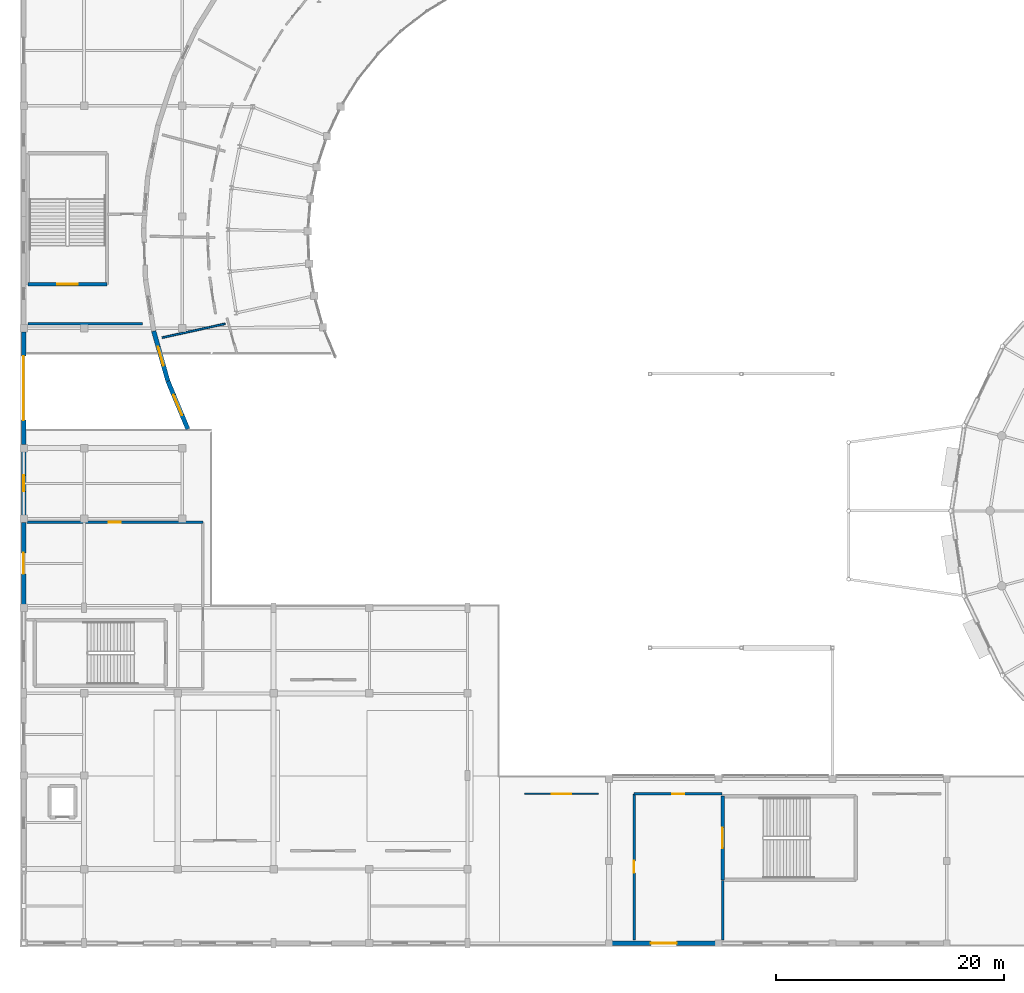
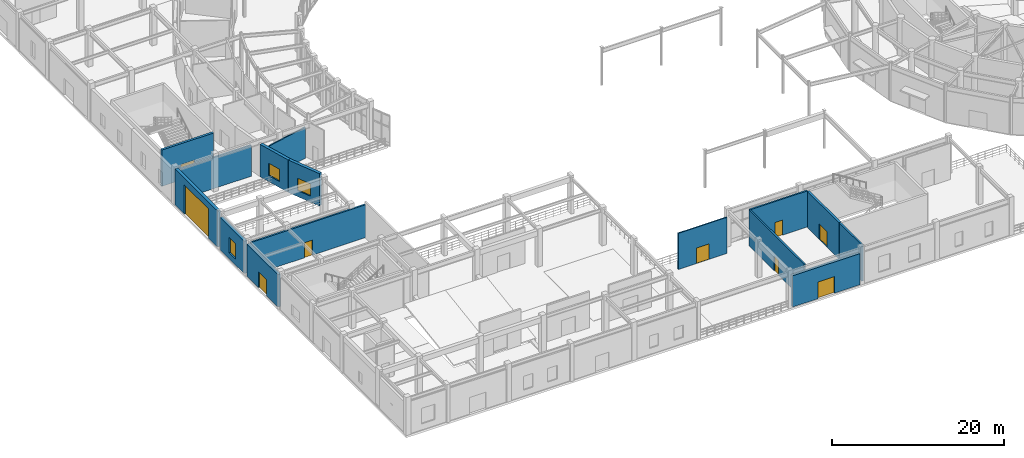
# One storey, part 51 of 93: 15 walls, 9 doors, 3 windows, 12 openings.
"""IFC4 building model written with IfcOpenShell, lengths in metres."""

from ifc_helpers import new_model, si_unit, direction, frame, frame_2d, origin, place, context, subcontext, project, spatial, rectangle, extrude, material, layer, layer_set, type_object, element, fill, save


model = new_model("IFC4")

# Units and contexts
model_context = context("Model", 3, precision=1e-05, world=origin(), true_north=direction((0.0, 1.0)))
body_context = subcontext(model_context, "Body", "Model", "MODEL_VIEW")
ifc_project = project(units=[si_unit("LENGTHUNIT", "METRE"), si_unit("AREAUNIT", "SQUARE_METRE"), si_unit("VOLUMEUNIT", "CUBIC_METRE"), si_unit("PLANEANGLEUNIT", "RADIAN"), si_unit("MASSUNIT", "GRAM", prefix="KILO")], contexts=[model_context])

# Site, building, storey
site_placement = place(None, origin())
site = spatial("IfcSite", under=ifc_project, at=site_placement, CompositionType="ELEMENT")
building_placement = place(site_placement, origin())
building = spatial("IfcBuilding", under=site, at=building_placement, Name="Cinderbank Siding Concert Hall", CompositionType="ELEMENT")
storey_placement = place(building_placement, origin())
storey = spatial("IfcBuildingStorey", under=building, at=storey_placement, Name="L01", CompositionType="ELEMENT", Elevation=0.0)

# Wall, opening, door
ifc_material_1 = material(Name="Reinforced concrete AS 3600 N50 (50 MPa)", Category="concrete")
ifc_layer_1 = layer(ifc_material_1, 0.300048828125)
ifc_layer_set_1 = layer_set([ifc_layer_1], Name="Reinforced concrete AS 3600 N50 (50 MPa)")
wall_type_1 = type_object("IfcWallType", Name="WL-03 Structural Wall 300mm", PredefinedType="SHEAR", material=ifc_layer_set_1)
wall_1_placement = place(storey_placement, frame((68.360107421875, 11.659912109375, 0.0), z_axis=(0.0, 0.0, 1.0), x_axis=(0.0, 1.0, 0.0)))
wall_1 = element("IfcWall", 1, at=wall_1_placement, inside=storey, type_object=wall_type_1, Name="L01 ST-08 Core Wall ENTRY", PredefinedType="SHEAR", context=body_context, shape_type="SweptSolid", body=[
    extrude(rectangle(XDim=7.340087890625, YDim=0.300048828125, at=frame_2d((3.669921875, 0.0))), origin(), (0.0, 0.0, 1.0), 5.139892578125),
])
opening_1_placement = place(wall_1_placement, frame((2.77001953125, 0.0, 0.0)))
opening_1 = element("IfcOpeningElement", 2, at=opening_1_placement, cuts=wall_1, Name="Opening D-05", PredefinedType="OPENING", context=body_context, shape_type="SweptSolid", body=[
    extrude(rectangle(XDim=1.800048828125, YDim=2.199951171875, at=frame_2d((0.89990234375, 1.10009765625))), frame((0.0, 0.162109375, 0.0), z_axis=(0.0, -1.0, 0.0), x_axis=(1.0, 0.0, 0.0)), (0.0, 0.0, 1.0), 0.323974609375),
])
ifc_material_2 = material(Name="Galvanised sheet steel acoustic fire door assembly", Category="steel")
door_type_1 = type_object("IfcDoorType", Name="D-05 Interior Door 1800x2200", OperationType="DOUBLE_DOOR_SINGLE_SWING", PredefinedType="DOOR", material=ifc_material_2)
door_1_placement = place(opening_1_placement, origin())
door_1 = element("IfcDoor", 3, at=door_1_placement, inside=storey, type_object=door_type_1, Name="L01 ST-08 Fire Stair Door L01-D044", OperationType="DOUBLE_DOOR_SINGLE_SWING", OverallHeight=2.199951171875, OverallWidth=1.800048828125, PredefinedType="DOOR", context=body_context, shape_type="SweptSolid", body=[
    extrude(rectangle(XDim=1.800048828125, YDim=2.199951171875, at=frame_2d((0.89990234375, 1.10009765625))), frame((0.0, 0.02490234375, 0.0), z_axis=(0.0, -1.0, 0.0), x_axis=(1.0, 0.0, 0.0)), (0.0, 0.0, 1.0), 0.050048828125),
])
fill(opening_1, door_1)

wall_2_placement = place(storey_placement, frame((14.39990234375, 63.860107421875, 0.0), z_axis=(0.0, 0.0, 1.0), x_axis=(-1.0, 0.0, 0.0)))
wall_2 = element("IfcWall", 4, at=wall_2_placement, inside=storey, type_object=wall_type_1, Name="L01 ST-09 Core Wall ENTRY", PredefinedType="SHEAR", context=body_context, shape_type="SweptSolid", body=[
    extrude(rectangle(XDim=6.93994140625, YDim=0.300048828125, at=frame_2d((3.469970703125, 0.0))), origin(), (0.0, 0.0, 1.0), 5.139892578125),
])
opening_2_placement = place(wall_2_placement, frame((2.570068359375, 0.0, 0.0)))
opening_2 = element("IfcOpeningElement", 5, at=opening_2_placement, cuts=wall_2, Name="Opening D-05", PredefinedType="OPENING", context=body_context, shape_type="SweptSolid", body=[
    extrude(rectangle(XDim=1.800048828125, YDim=2.199951171875, at=frame_2d((0.89990234375, 1.10009765625))), frame((0.0, 0.162109375, 0.0), z_axis=(0.0, -1.0, 0.0), x_axis=(1.0, 0.0, 0.0)), (0.0, 0.0, 1.0), 0.323974609375),
])
door_2_placement = place(opening_2_placement, origin())
door_2 = element("IfcDoor", 6, at=door_2_placement, inside=storey, type_object=door_type_1, Name="L01 ST-09 Fire Stair Door L01-D047", OperationType="DOUBLE_DOOR_SINGLE_SWING", OverallHeight=2.199951171875, OverallWidth=1.800048828125, PredefinedType="DOOR", context=body_context, shape_type="SweptSolid", body=[
    extrude(rectangle(XDim=1.800048828125, YDim=2.199951171875, at=frame_2d((0.89990234375, 1.10009765625))), frame((0.0, 0.02490234375, 0.0), z_axis=(0.0, -1.0, 0.0), x_axis=(1.0, 0.0, 0.0)), (0.0, 0.0, 1.0), 0.050048828125),
])
fill(opening_2, door_2)

ifc_layer_2 = layer(ifc_material_1, 0.219970703125)
ifc_layer_set_2 = layer_set([ifc_layer_2], Name="Reinforced concrete AS 3600 N50 (50 MPa)")
wall_type_2 = type_object("IfcWallType", Name="WL-06 Interior Wall 220mm", PredefinedType="SOLIDWALL", material=ifc_layer_set_2)
wall_3_placement = place(storey_placement, frame((7.39990234375, 43.0, 0.0), z_axis=(0.0, 0.0, 1.0), x_axis=(1.0, 0.0, 0.0)))
wall_3 = element("IfcWall", 7, at=wall_3_placement, inside=storey, type_object=wall_type_2, Name="L01 Fire-Isolated Exit Passage Wall EPW-06-N", PredefinedType="SOLIDWALL", context=body_context, shape_type="SweptSolid", body=[
    extrude(rectangle(XDim=15.400146484375, YDim=0.219970703125, at=frame_2d((7.7001953125, 0.0))), origin(), (0.0, 0.0, 1.0), 4.669677734375),
])
opening_3_placement = place(wall_3_placement, frame((7.175048828125, 0.0, 0.0)))
opening_3 = element("IfcOpeningElement", 8, at=opening_3_placement, cuts=wall_3, Name="Opening D-02", PredefinedType="OPENING", context=body_context, shape_type="SweptSolid", body=[
    extrude(rectangle(XDim=1.050048828125, YDim=2.14990234375, at=frame_2d((0.52490234375, 1.074951171875))), frame((0.0, 0.1220703125, 0.0), z_axis=(0.0, -1.0, 0.0), x_axis=(1.0, 0.0, 0.0)), (0.0, 0.0, 1.0), 0.243896484375),
])
door_type_2 = type_object("IfcDoorType", Name="D-02 Interior Door 1050x2150", OperationType="NOTDEFINED", PredefinedType="DOOR", material=ifc_material_2)
door_3_placement = place(opening_3_placement, origin())
door_3 = element("IfcDoor", 9, at=door_3_placement, inside=storey, type_object=door_type_2, Name="L01 Exit Passage Fire Door L01-D092", OperationType="SINGLE_SWING_LEFT", OverallHeight=2.14990234375, OverallWidth=1.050048828125, PredefinedType="DOOR", context=body_context, shape_type="SweptSolid", body=[
    extrude(rectangle(XDim=1.050048828125, YDim=2.14990234375, at=frame_2d((0.52490234375, 1.074951171875))), frame((0.0, 0.02490234375, 0.0), z_axis=(0.0, -1.0, 0.0), x_axis=(1.0, 0.0, 0.0)), (0.0, 0.0, 1.0), 0.050048828125),
])
fill(opening_3, door_3)

wall_4_placement = place(storey_placement, frame((60.60009765625, 6.39990234375, 0.0), z_axis=(0.0, 0.0, 1.0), x_axis=(0.0, 1.0, 0.0)))
wall_4 = element("IfcWall", 10, at=wall_4_placement, inside=storey, type_object=wall_type_2, Name="L01 Fire-Isolated Exit Passage Wall EPW-08-W", PredefinedType="SOLIDWALL", context=body_context, shape_type="SweptSolid", body=[
    extrude(rectangle(XDim=12.800048828125, YDim=0.219970703125, at=frame_2d((6.39990234375, 0.0))), origin(), (0.0, 0.0, 1.0), 5.125),
])
opening_4_placement = place(wall_4_placement, frame((5.875, 0.0, 0.0)))
opening_4 = element("IfcOpeningElement", 11, at=opening_4_placement, cuts=wall_4, Name="Opening D-02", PredefinedType="OPENING", context=body_context, shape_type="SweptSolid", body=[
    extrude(rectangle(XDim=1.050048828125, YDim=2.14990234375, at=frame_2d((0.52490234375, 1.074951171875))), frame((0.0, 0.1220703125, 0.0), z_axis=(0.0, -1.0, 0.0), x_axis=(1.0, 0.0, 0.0)), (0.0, 0.0, 1.0), 0.243896484375),
])
door_4_placement = place(opening_4_placement, origin())
door_4 = element("IfcDoor", 12, at=door_4_placement, inside=storey, type_object=door_type_2, Name="L01 Exit Passage Fire Door L01-D095", OperationType="SINGLE_SWING_RIGHT", OverallHeight=2.14990234375, OverallWidth=1.050048828125, PredefinedType="DOOR", context=body_context, shape_type="SweptSolid", body=[
    extrude(rectangle(XDim=1.050048828125, YDim=2.14990234375, at=frame_2d((0.52490234375, 1.074951171875))), frame((0.0, 0.02490234375, 0.0), z_axis=(0.0, -1.0, 0.0), x_axis=(1.0, 0.0, 0.0)), (0.0, 0.0, 1.0), 0.050048828125),
])
fill(opening_4, door_4)

wall_5_placement = place(storey_placement, frame((60.60009765625, 19.199951171875, 0.0), z_axis=(0.0, 0.0, 1.0), x_axis=(1.0, 0.0, 0.0)))
wall_5 = element("IfcWall", 13, at=wall_5_placement, inside=storey, type_object=wall_type_2, Name="L01 Fire-Isolated Exit Passage Wall EPW-08-N", PredefinedType="SOLIDWALL", context=body_context, shape_type="SweptSolid", body=[
    extrude(rectangle(XDim=7.699951171875, YDim=0.219970703125, at=frame_2d((3.85009765625, 0.0))), origin(), (0.0, 0.0, 1.0), 5.125),
])
opening_5_placement = place(wall_5_placement, frame((3.324951171875, 0.0, 0.0)))
opening_5 = element("IfcOpeningElement", 14, at=opening_5_placement, cuts=wall_5, Name="Opening D-02", PredefinedType="OPENING", context=body_context, shape_type="SweptSolid", body=[
    extrude(rectangle(XDim=1.050048828125, YDim=2.14990234375, at=frame_2d((0.52490234375, 1.074951171875))), frame((0.0, 0.1220703125, 0.0), z_axis=(0.0, -1.0, 0.0), x_axis=(1.0, 0.0, 0.0)), (0.0, 0.0, 1.0), 0.243896484375),
])
door_5_placement = place(opening_5_placement, origin())
door_5 = element("IfcDoor", 15, at=door_5_placement, inside=storey, type_object=door_type_2, Name="L01 Exit Passage Fire Door L01-D096", OperationType="SINGLE_SWING_LEFT", OverallHeight=2.14990234375, OverallWidth=1.050048828125, PredefinedType="DOOR", context=body_context, shape_type="SweptSolid", body=[
    extrude(rectangle(XDim=1.050048828125, YDim=2.14990234375, at=frame_2d((0.52490234375, 1.074951171875))), frame((0.0, 0.02490234375, 0.0), z_axis=(0.0, -1.0, 0.0), x_axis=(1.0, 0.0, 0.0)), (0.0, 0.0, 1.0), 0.050048828125),
])
fill(opening_5, door_5)

# Walls
wall_6_placement = place(storey_placement, frame((68.360107421875, 6.39990234375, 0.0), z_axis=(0.0, 0.0, 1.0), x_axis=(0.0, 1.0, 0.0)))
element("IfcWall", 16, at=wall_6_placement, inside=storey, type_object=wall_type_2, Name="L01 Fire-Isolated Exit Passage Wall EPW-08-E", PredefinedType="SOLIDWALL", context=body_context, shape_type="SweptSolid", body=[
    extrude(rectangle(XDim=5.2001953125, YDim=0.219970703125, at=frame_2d((2.60009765625, 0.0))), origin(), (0.0, 0.0, 1.0), 5.125),
])
wall_7_placement = place(storey_placement, frame((7.4599609375, 60.39990234375, 0.0), z_axis=(0.0, 0.0, 1.0), x_axis=(1.0, 0.0, 0.0)))
element("IfcWall", 17, at=wall_7_placement, inside=storey, type_object=wall_type_2, Name="L01 Fire-Isolated Exit Passage Wall EPW-09-S", PredefinedType="SOLIDWALL", context=body_context, shape_type="SweptSolid", body=[
    extrude(rectangle(XDim=10.0400390625, YDim=0.219970703125, at=frame_2d((5.02001953125, 0.0))), origin(), (0.0, 0.0, 1.0), 4.406982421875),
])

# Wall, opening, window
ifc_material_3 = material(Name="Sydney Hawkesbury sandstone ashlar masonry", Category="masonry")
ifc_layer_3 = layer(ifc_material_3, 0.389892578125)
ifc_layer_set_3 = layer_set([ifc_layer_3], Name="Sydney Hawkesbury sandstone ashlar masonry")
wall_type_3 = type_object("IfcWallType", Name="WL-09 Exterior Wall 390mm", PredefinedType="STANDARD", material=ifc_layer_set_3)
wall_8_placement = place(storey_placement, frame((19.73583984375, 55.37158203125, 0.0), z_axis=(0.0, 0.0, 1.0), x_axis=(-0.272249427892, 0.962226713936, 0.0)))
wall_8 = element("IfcWall", 18, at=wall_8_placement, inside=storey, type_object=wall_type_3, Name="L01 Facade Wall EW-WOUT-L01-14", PredefinedType="STANDARD", context=body_context, shape_type="SweptSolid", body=[
    extrude(rectangle(XDim=4.5546875, YDim=0.389892578125, at=frame_2d((2.27734375, 0.0))), origin(), (0.0, 0.0, 1.0), 4.60009765625),
])
opening_6_placement = place(wall_8_placement, frame((1.41748046875, 0.0, 0.85009765625)))
opening_6 = element("IfcOpeningElement", 19, at=opening_6_placement, cuts=wall_8, Name="Opening WN-23", PredefinedType="OPENING", context=body_context, shape_type="SweptSolid", body=[
    extrude(rectangle(XDim=1.719970703125, YDim=1.75, at=frame_2d((0.85986328125, 0.875))), frame((0.0, 0.20703125, 0.0), z_axis=(0.0, -1.0, 0.0), x_axis=(1.0, 0.0, 0.0)), (0.0, 0.0, 1.0), 0.413818359375),
])
ifc_material_4 = material(Name="Double-glazed laminated acoustic glass", Category="glass")
window_type_1 = type_object("IfcWindowType", Name="WN-23 Acoustic Casement Window 1720x1750", PartitioningType="DOUBLE_PANEL_VERTICAL", PredefinedType="WINDOW", material=ifc_material_4)
window_1_placement = place(opening_6_placement, origin())
window_1 = element("IfcWindow", 20, at=window_1_placement, inside=storey, type_object=window_type_1, Name="L01 Facade Window #9", OverallHeight=1.75, OverallWidth=1.719970703125, PartitioningType="DOUBLE_PANEL_VERTICAL", PredefinedType="WINDOW", context=body_context, shape_type="SweptSolid", body=[
    extrude(rectangle(XDim=1.719970703125, YDim=1.75, at=frame_2d((0.85986328125, 0.875))), frame((0.0, 0.030029296875, 0.0), z_axis=(0.0, -1.0, 0.0), x_axis=(1.0, 0.0, 0.0)), (0.0, 0.0, 1.0), 0.06005859375),
])
fill(opening_6, window_1)

wall_9_placement = place(storey_placement, frame((19.73583984375, 55.37158203125, 0.0), z_axis=(0.0, 0.0, 1.0), x_axis=(0.384310891198, -0.923203736402, 0.0)))
wall_9 = element("IfcWall", 21, at=wall_9_placement, inside=storey, type_object=wall_type_3, Name="L01 Facade Wall EW-WOUT-L01-15", PredefinedType="STANDARD", context=body_context, shape_type="SweptSolid", body=[
    extrude(rectangle(XDim=4.554931640625, YDim=0.389892578125, at=frame_2d((2.27734375, 0.0))), origin(), (0.0, 0.0, 1.0), 4.60009765625),
])
opening_7_placement = place(wall_9_placement, frame((1.3173828125, 0.0, 0.85009765625)))
opening_7 = element("IfcOpeningElement", 22, at=opening_7_placement, cuts=wall_9, Name="Opening WN-24", PredefinedType="OPENING", context=body_context, shape_type="SweptSolid", body=[
    extrude(rectangle(XDim=1.919921875, YDim=1.75, at=frame_2d((0.9599609375, 0.875))), frame((0.0, 0.20703125, 0.0), z_axis=(0.0, -1.0, 0.0), x_axis=(1.0, 0.0, 0.0)), (0.0, 0.0, 1.0), 0.413818359375),
])
window_type_2 = type_object("IfcWindowType", Name="WN-24 Acoustic Casement Window 1920x1750", PartitioningType="DOUBLE_PANEL_VERTICAL", PredefinedType="WINDOW", material=ifc_material_4)
window_2_placement = place(opening_7_placement, origin())
window_2 = element("IfcWindow", 23, at=window_2_placement, inside=storey, type_object=window_type_2, Name="L01 Facade Window #10", OverallHeight=1.75, OverallWidth=1.919921875, PartitioningType="DOUBLE_PANEL_VERTICAL", PredefinedType="WINDOW", context=body_context, shape_type="SweptSolid", body=[
    extrude(rectangle(XDim=1.919921875, YDim=1.75, at=frame_2d((0.9599609375, 0.875))), frame((0.0, 0.030029296875, 0.0), z_axis=(0.0, -1.0, 0.0), x_axis=(1.0, 0.0, 0.0)), (0.0, 0.0, 1.0), 0.06005859375),
])
fill(opening_7, window_2)

# Wall, opening, door
wall_10_placement = place(storey_placement, frame((7.10009765625, 35.81005859375, 0.0), z_axis=(0.0, 0.0, 1.0), x_axis=(0.0, 1.0, 0.0)))
wall_10 = element("IfcWall", 24, at=wall_10_placement, inside=storey, type_object=wall_type_3, Name="L01 Facade Wall EW-WL-W0-L01", PredefinedType="STANDARD", context=body_context, shape_type="SweptSolid", body=[
    extrude(rectangle(XDim=7.179931640625, YDim=0.389892578125, at=frame_2d((3.58984375, 0.0))), origin(), (0.0, 0.0, 1.0), 4.578857421875),
])
opening_8_placement = place(wall_10_placement, frame((2.6650390625, 0.0, 0.0)))
opening_8 = element("IfcOpeningElement", 25, at=opening_8_placement, cuts=wall_10, Name="Opening ED-D3", PredefinedType="OPENING", context=body_context, shape_type="SweptSolid", body=[
    extrude(rectangle(XDim=1.85009765625, YDim=2.25, at=frame_2d((0.925048828125, 1.125))), frame((0.0, 0.20703125, 0.0), z_axis=(0.0, -1.0, 0.0), x_axis=(1.0, 0.0, 0.0)), (0.0, 0.0, 1.0), 0.413818359375),
])
door_type_3 = type_object("IfcDoorType", Name="ED-D3 Exterior Door 1850x2250", OperationType="DOUBLE_DOOR_SINGLE_SWING", PredefinedType="DOOR", material=ifc_material_2)
door_6_placement = place(opening_8_placement, origin())
door_6 = element("IfcDoor", 26, at=door_6_placement, inside=storey, type_object=door_type_3, Name="Perimeter Final Exit WL-W0", OperationType="DOUBLE_DOOR_SINGLE_SWING", OverallHeight=2.25, OverallWidth=1.85009765625, PredefinedType="DOOR", context=body_context, shape_type="SweptSolid", body=[
    extrude(rectangle(XDim=1.85009765625, YDim=2.25, at=frame_2d((0.925048828125, 1.125))), frame((0.0, 0.02490234375, 0.0), z_axis=(0.0, -1.0, 0.0), x_axis=(1.0, 0.0, 0.0)), (0.0, 0.0, 1.0), 0.050048828125),
])
fill(opening_8, door_6)

# Wall, opening, window
wall_11_placement = place(storey_placement, frame((7.10009765625, 43.610107421875, 0.0), z_axis=(0.0, 0.0, 1.0), x_axis=(0.0, 1.0, 0.0)))
wall_11 = element("IfcWall", 27, at=wall_11_placement, inside=storey, type_object=wall_type_3, Name="L01 Facade Wall EW-WL-W1-L01", PredefinedType="STANDARD", context=body_context, shape_type="SweptSolid", body=[
    extrude(rectangle(XDim=5.579833984375, YDim=0.389892578125, at=frame_2d((2.7900390625, 0.0))), origin(), (0.0, 0.0, 1.0), 4.60009765625),
])
opening_9_placement = place(wall_11_placement, frame((2.090087890625, 0.0, 0.85009765625)))
opening_9 = element("IfcOpeningElement", 28, at=opening_9_placement, cuts=wall_11, Name="Opening WN-06", PredefinedType="OPENING", context=body_context, shape_type="SweptSolid", body=[
    extrude(rectangle(XDim=1.39990234375, YDim=2.199951171875, at=frame_2d((0.699951171875, 1.10009765625))), frame((0.0, 0.20703125, 0.0), z_axis=(0.0, -1.0, 0.0), x_axis=(1.0, 0.0, 0.0)), (0.0, 0.0, 1.0), 0.413818359375),
])
window_type_3 = type_object("IfcWindowType", Name="WN-06 Acoustic Casement Window 1400x2200", PartitioningType="DOUBLE_PANEL_VERTICAL", PredefinedType="WINDOW", material=ifc_material_4)
window_3_placement = place(opening_9_placement, origin())
window_3 = element("IfcWindow", 29, at=window_3_placement, inside=storey, type_object=window_type_3, Name="L01 Facade Window #84", OverallHeight=2.199951171875, OverallWidth=1.39990234375, PartitioningType="DOUBLE_PANEL_VERTICAL", PredefinedType="WINDOW", context=body_context, shape_type="SweptSolid", body=[
    extrude(rectangle(XDim=1.39990234375, YDim=2.199951171875, at=frame_2d((0.699951171875, 1.10009765625))), frame((0.0, 0.030029296875, 0.0), z_axis=(0.0, -1.0, 0.0), x_axis=(1.0, 0.0, 0.0)), (0.0, 0.0, 1.0), 0.06005859375),
])
fill(opening_9, window_3)

# Wall, opening, door
wall_12_placement = place(storey_placement, frame((7.10009765625, 49.81005859375, 0.0), z_axis=(0.0, 0.0, 1.0), x_axis=(0.0, 1.0, 0.0)))
wall_12 = element("IfcWall", 30, at=wall_12_placement, inside=storey, type_object=wall_type_3, Name="L01 Facade Wall EW-WL-VR-L01", PredefinedType="STANDARD", context=body_context, shape_type="SweptSolid", body=[
    extrude(rectangle(XDim=9.8798828125, YDim=0.389892578125, at=frame_2d((4.93994140625, 0.0))), origin(), (0.0, 0.0, 1.0), 5.125),
])
opening_10_placement = place(wall_12_placement, frame((2.139892578125, 0.0, 0.0)))
opening_10 = element("IfcOpeningElement", 31, at=opening_10_placement, cuts=wall_12, Name="Opening VD-01", PredefinedType="OPENING", context=body_context, shape_type="SweptSolid", body=[
    extrude(rectangle(XDim=5.60009765625, YDim=4.14990234375, at=frame_2d((2.800048828125, 2.074951171875))), frame((0.0, 0.20703125, 0.0), z_axis=(0.0, -1.0, 0.0), x_axis=(1.0, 0.0, 0.0)), (0.0, 0.0, 1.0), 0.413818359375),
])
door_type_4 = type_object("IfcDoorType", Name="VD-01 Exterior Gate 5600x4150", OperationType="ROLLINGUP", PredefinedType="GATE", material=ifc_material_2)
door_7_placement = place(opening_10_placement, origin())
door_7 = element("IfcDoor", 32, at=door_7_placement, inside=storey, type_object=door_type_4, Name="Basement Car Park Roller Shutter Gate VD-01", OperationType="ROLLINGUP", OverallHeight=4.14990234375, OverallWidth=5.60009765625, PredefinedType="GATE", context=body_context, shape_type="SweptSolid", body=[
    extrude(rectangle(XDim=5.60009765625, YDim=4.14990234375, at=frame_2d((2.800048828125, 2.074951171875))), frame((0.0, 0.02490234375, 0.0), z_axis=(0.0, -1.0, 0.0), x_axis=(1.0, 0.0, 0.0)), (0.0, 0.0, 1.0), 0.050048828125),
])
fill(opening_10, door_7)

wall_13_placement = place(storey_placement, frame((67.715087890625, 6.10009765625, 0.0), z_axis=(0.0, 0.0, 1.0), x_axis=(-1.0, 0.0, 0.0)))
wall_13 = element("IfcWall", 33, at=wall_13_placement, inside=storey, type_object=wall_type_3, Name="L01 Facade Wall EW-SL-S1-L01", PredefinedType="STANDARD", context=body_context, shape_type="SweptSolid", body=[
    extrude(rectangle(XDim=9.030029296875, YDim=0.389892578125, at=frame_2d((4.51513671875, 0.0))), origin(), (0.0, 0.0, 1.0), 4.427001953125),
])
opening_11_placement = place(wall_13_placement, frame((3.39501953125, 0.0, 0.0)))
opening_11 = element("IfcOpeningElement", 34, at=opening_11_placement, cuts=wall_13, Name="Opening ED-D1", PredefinedType="OPENING", context=body_context, shape_type="SweptSolid", body=[
    extrude(rectangle(XDim=2.239990234375, YDim=2.35009765625, at=frame_2d((1.1201171875, 1.175048828125))), frame((0.0, 0.20703125, 0.0), z_axis=(0.0, -1.0, 0.0), x_axis=(1.0, 0.0, 0.0)), (0.0, 0.0, 1.0), 0.413818359375),
])
door_type_5 = type_object("IfcDoorType", Name="ED-D1 Exterior Door 2240x2350", OperationType="DOUBLE_DOOR_SINGLE_SWING", PredefinedType="DOOR", material=ifc_material_2)
door_8_placement = place(opening_11_placement, origin())
door_8 = element("IfcDoor", 35, at=door_8_placement, inside=storey, type_object=door_type_5, Name="Perimeter Final Exit SL-S1", OperationType="DOUBLE_DOOR_SINGLE_SWING", OverallHeight=2.35009765625, OverallWidth=2.239990234375, PredefinedType="DOOR", context=body_context, shape_type="SweptSolid", body=[
    extrude(rectangle(XDim=2.239990234375, YDim=2.35009765625, at=frame_2d((1.1201171875, 1.175048828125))), frame((0.0, 0.02490234375, 0.0), z_axis=(0.0, -1.0, 0.0), x_axis=(1.0, 0.0, 0.0)), (0.0, 0.0, 1.0), 0.050048828125),
])
fill(opening_11, door_8)

# Wall
ifc_material_5 = material(Name="Acoustic plasterboard on light-gauge steel studs", Category="gypsum")
ifc_layer_4 = layer(ifc_material_5, 0.159912109375)
ifc_layer_set_4 = layer_set([ifc_layer_4], Name="Acoustic plasterboard on light-gauge steel studs")
wall_type_4 = type_object("IfcWallType", Name="WL-14 Interior Wall 160mm", PredefinedType="PARTITIONING", material=ifc_layer_set_4)
wall_14_placement = place(storey_placement, frame((24.754638671875, 60.39306640625, 0.0), z_axis=(0.0, 0.0, 1.0), x_axis=(-0.976668579504, -0.214752149721, 0.0)))
element("IfcWall", 36, at=wall_14_placement, inside=storey, type_object=wall_type_4, Name="L01 Radial Studio Demising Wall W14", PredefinedType="PARTITIONING", context=body_context, shape_type="SweptSolid", body=[
    extrude(rectangle(XDim=5.650146484375, YDim=0.159912109375, at=frame_2d((2.8251953125, 0.0))), origin(), (0.0, 0.0, 1.0), 4.406982421875),
])

# Wall, opening, door
wall_15_placement = place(storey_placement, frame((51.0, 19.199951171875, 0.0), z_axis=(0.0, 0.0, 1.0), x_axis=(1.0, 0.0, 0.0)))
wall_15 = element("IfcWall", 37, at=wall_15_placement, inside=storey, type_object=wall_type_4, Name="L01 Partition Railside Cafe Concourse", PredefinedType="PARTITIONING", context=body_context, shape_type="SweptSolid", body=[
    extrude(rectangle(XDim=6.5, YDim=0.159912109375, at=frame_2d((3.25, 0.0))), origin(), (0.0, 0.0, 1.0), 5.125),
])
opening_12_placement = place(wall_15_placement, frame((2.39990234375, 0.0, 0.0)))
opening_12 = element("IfcOpeningElement", 38, at=opening_12_placement, cuts=wall_15, Name="Opening D-08", PredefinedType="OPENING", context=body_context, shape_type="SweptSolid", body=[
    extrude(rectangle(XDim=1.699951171875, YDim=2.199951171875, at=frame_2d((0.85009765625, 1.10009765625))), frame((0.0, 0.091796875, 0.0), z_axis=(0.0, -1.0, 0.0), x_axis=(1.0, 0.0, 0.0)), (0.0, 0.0, 1.0), 0.183837890625),
])
ifc_material_6 = material(Name="Solid-core spotted gum acoustic timber", Category="wood")
door_type_6 = type_object("IfcDoorType", Name="D-08 Interior Door 1700x2200", OperationType="DOUBLE_DOOR_SINGLE_SWING", PredefinedType="DOOR", material=ifc_material_6)
door_9_placement = place(opening_12_placement, origin())
door_9 = element("IfcDoor", 39, at=door_9_placement, inside=storey, type_object=door_type_6, Name="L01 Railside Cafe Concourse Door L01-D247", OperationType="DOUBLE_DOOR_SINGLE_SWING", OverallHeight=2.199951171875, OverallWidth=1.699951171875, PredefinedType="DOOR", context=body_context, shape_type="SweptSolid", body=[
    extrude(rectangle(XDim=1.699951171875, YDim=2.199951171875, at=frame_2d((0.85009765625, 1.10009765625))), frame((0.0, 0.02490234375, 0.0), z_axis=(0.0, -1.0, 0.0), x_axis=(1.0, 0.0, 0.0)), (0.0, 0.0, 1.0), 0.050048828125),
])
fill(opening_12, door_9)

save(model, "model.ifc")
